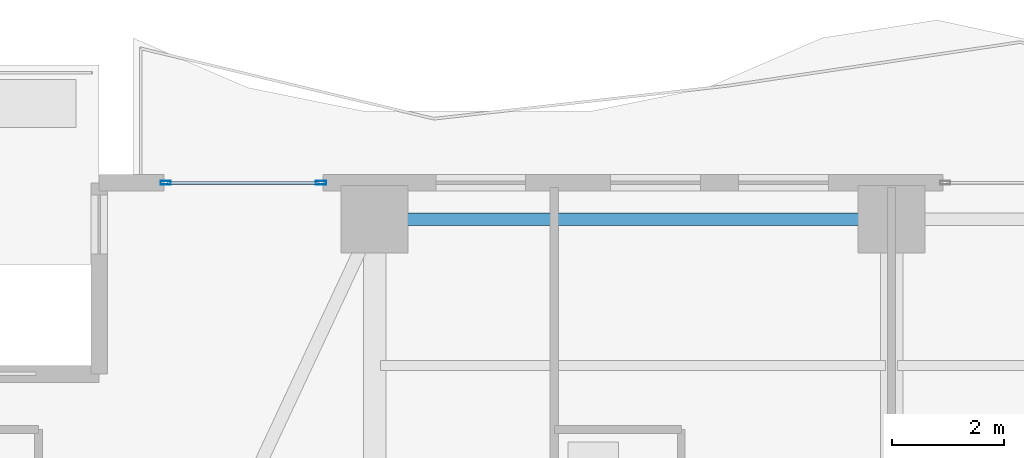
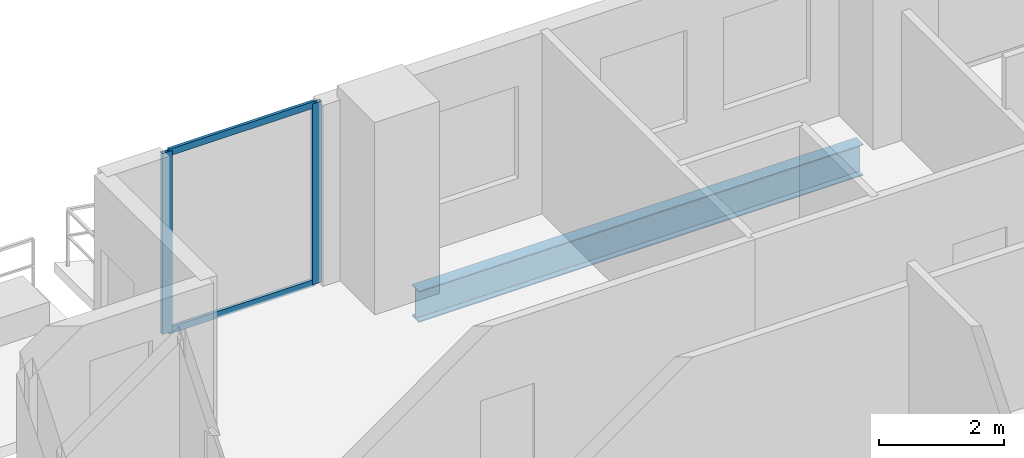
# One storey, part 17 of 32: 4 members, 1 beam, 1 element without a shape of its own.
"""IFC4 building model written with IfcOpenShell, lengths in metres."""

from ifc_helpers import new_model, si_unit, direction, frame, origin, origin_2d, place, context, subcontext, project, spatial, hollow_rectangle, i_section, extrude, material, layer, layer_set, material_profile, profile_set, type_object, element, aggregate, save


model = new_model("IFC4")

# Units and contexts
model_context = context("Model", 3, precision=1e-05, world=origin(), true_north=direction((0.0, 1.0)))
body_context = subcontext(model_context, "Body", "Model", "MODEL_VIEW")
ifc_project = project(units=[si_unit("LENGTHUNIT", "METRE"), si_unit("AREAUNIT", "SQUARE_METRE"), si_unit("VOLUMEUNIT", "CUBIC_METRE"), si_unit("PLANEANGLEUNIT", "RADIAN"), si_unit("MASSUNIT", "GRAM", prefix="KILO")], contexts=[model_context])

# Site, building, storey
site_placement = place(None, origin())
site = spatial("IfcSite", under=ifc_project, at=site_placement, CompositionType="ELEMENT")
building_placement = place(site_placement, origin())
building = spatial("IfcBuilding", under=site, at=building_placement, Name="Zuhayl Quay Hotel", CompositionType="ELEMENT")
storey_placement = place(building_placement, frame((0.0, 0.0, 184.89990234375)))
storey = spatial("IfcBuildingStorey", under=building, at=storey_placement, Name="L46", CompositionType="ELEMENT", Elevation=184.89990234375)

# Beam
ifc_material_1 = material(Name="Steel ASTM A992 Grade 50", Category="steel")
ifc_material_profile_1 = material_profile(ifc_material_1, i_section(OverallWidth=0.22802734375, OverallDepth=0.60693359375, WebThickness=0.01123046875, FlangeThickness=0.017333984375, at=origin_2d()), Name="W24X76")
ifc_profile_set_1 = profile_set([ifc_material_profile_1], Name="Steel ASTM A992 Grade 50")
beam_type = type_object("IfcBeamType", Name="BM_B3_W24X76", PredefinedType="BEAM", material=ifc_profile_set_1)
beam_placement = place(storey_placement, frame((-5.10009765625, 32.949951171875, -0.5234375), z_axis=(-1.0, 0.0, 0.0), x_axis=(0.0, -1.0, 0.0)))
element("IfcBeam", 1, at=beam_placement, inside=storey, type_object=beam_type, Name="L46 Floor Beam RG_L46_09", PredefinedType="BEAM", context=body_context, shape_type="SweptSolid", body=[
    extrude(i_section(OverallWidth=0.22802734375, OverallDepth=0.60693359375, WebThickness=0.01123046875, FlangeThickness=0.017333984375, at=origin_2d()), origin(), (0.0, 0.0, 1.0), 8.199951171875),
])

# Curtain wall, members
ifc_material_2 = material(Name="Anodised Aluminium 6063-T6", Category="aluminium")
ifc_layer = layer(ifc_material_2, 0.175048828125, Name="Anodised Aluminium 6063-T6", Category="aluminium")
ifc_layer_set = layer_set([ifc_layer], Name="Anodised Aluminium 6063-T6")
curtain_wall_type = type_object("IfcCurtainWallType", Name="CW_SYS_Z3", PredefinedType="USERDEFINED", material=ifc_layer_set)
curtain_wall_placement = place(storey_placement, origin())
curtain_wall = element("IfcCurtainWall", 2, at=curtain_wall_placement, inside=storey, type_object=curtain_wall_type, Name="L46 Curtain Wall ENV_L46_N_CW1", ObjectType="UNITISED CURTAIN WALL", PredefinedType="USERDEFINED")
ifc_material_3 = material(Name="Black-anodised aluminium 6063-T6", Category="aluminium")
ifc_material_profile_2 = material_profile(ifc_material_3, hollow_rectangle(XDim=0.06494140625, YDim=0.179931640625, WallThickness=0.00341796875, at=origin_2d()), Name="ALU180X65")
ifc_profile_set_2 = profile_set([ifc_material_profile_2], Name="Black-anodised aluminium 6063-T6")
member_type_1 = type_object("IfcMemberType", Name="MB_CW_MUL_180", PredefinedType="MULLION", material=ifc_profile_set_2)
member_1_placement = place(storey_placement, frame((-17.517578125, 33.60009765625, 0.0), z_axis=(0.0, 0.0, 1.0), x_axis=(0.0, 1.0, 0.0)))
member_1 = element("IfcMember", 3, at=member_1_placement, type_object=member_type_1, Name="CW-Z3 mullion 1", PredefinedType="MULLION", context=body_context, shape_type="SweptSolid", body=[
    extrude(hollow_rectangle(XDim=0.06494140625, YDim=0.179931640625, WallThickness=0.00341796875, at=origin_2d()), origin(), (0.0, 0.0, 1.0), 3.530029296875),
])
member_2_placement = place(storey_placement, frame((-14.75244140625, 33.60009765625, 0.0), z_axis=(0.0, 0.0, 1.0), x_axis=(0.0, 1.0, 0.0)))
member_2 = element("IfcMember", 4, at=member_2_placement, type_object=member_type_1, Name="CW-Z3 mullion 2", PredefinedType="MULLION", context=body_context, shape_type="SweptSolid", body=[
    extrude(hollow_rectangle(XDim=0.06494140625, YDim=0.179931640625, WallThickness=0.00341796875, at=origin_2d()), origin(), (0.0, 0.0, 1.0), 3.530029296875),
])
ifc_material_profile_3 = material_profile(ifc_material_3, hollow_rectangle(XDim=0.054931640625, YDim=0.1298828125, WallThickness=0.0029296875, at=origin_2d()), Name="ALU130X55")
ifc_profile_set_3 = profile_set([ifc_material_profile_3], Name="Black-anodised aluminium 6063-T6")
member_type_2 = type_object("IfcMemberType", Name="MB_CW_TRN_130", PredefinedType="USERDEFINED", material=ifc_profile_set_3)
member_3_placement = place(storey_placement, frame((-17.485107421875, 33.60009765625, 0.027587890625), z_axis=(1.0, 0.0, 0.0), x_axis=(0.0, 1.0, 0.0)))
member_3 = element("IfcMember", 5, at=member_3_placement, type_object=member_type_2, Name="CW-Z3 transom 1.1", ObjectType="TRANSOM", PredefinedType="USERDEFINED", context=body_context, shape_type="SweptSolid", body=[
    extrude(hollow_rectangle(XDim=0.054931640625, YDim=0.1298828125, WallThickness=0.0029296875, at=origin_2d()), origin(), (0.0, 0.0, 1.0), 2.7001953125),
])
member_4_placement = place(storey_placement, frame((-17.485107421875, 33.60009765625, 3.502685546875), z_axis=(1.0, 0.0, 0.0), x_axis=(0.0, 1.0, 0.0)))
member_4 = element("IfcMember", 6, at=member_4_placement, type_object=member_type_2, Name="CW-Z3 transom 1.2", ObjectType="TRANSOM", PredefinedType="USERDEFINED", context=body_context, shape_type="SweptSolid", body=[
    extrude(hollow_rectangle(XDim=0.054931640625, YDim=0.1298828125, WallThickness=0.0029296875, at=origin_2d()), origin(), (0.0, 0.0, 1.0), 2.7001953125),
])
aggregate(curtain_wall, [member_1, member_2, member_3, member_4])

save(model, "model.ifc")
